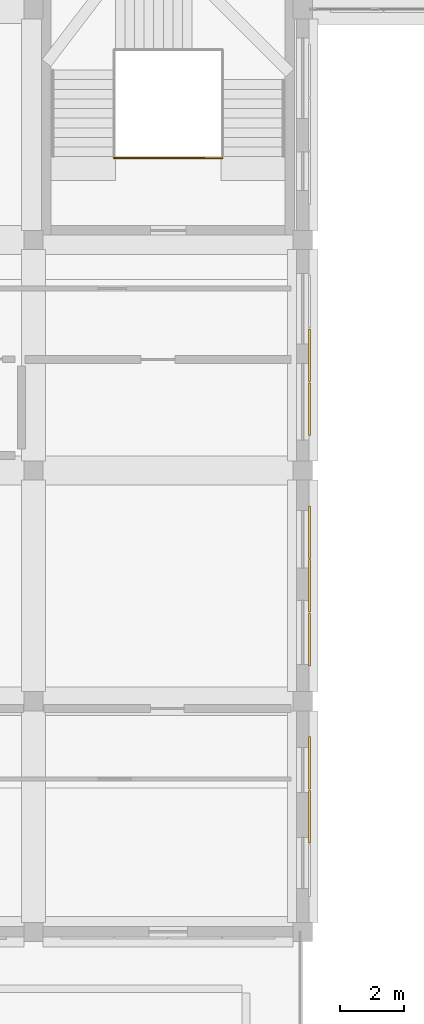
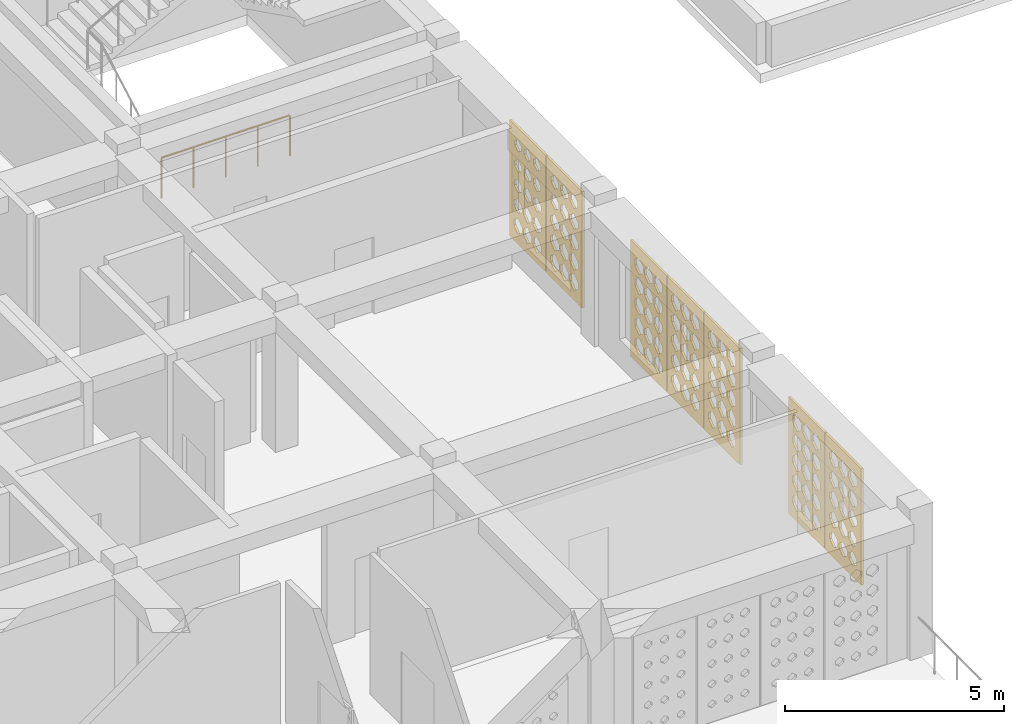
# One storey, part 39 of 48: 7 coverings, 1 railing.
"""IFC4 building model written with IfcOpenShell, lengths in metres."""

from ifc_helpers import new_model, si_unit, derived_unit, direction, frame, origin, origin_2d, place, context, subcontext, project, spatial, polyline, circle, outline, extrude, material, layer, layer_set, type_object, element, save


model = new_model("IFC4")

# Units and contexts
model_context = context("Model", 3, precision=1e-05, world=origin(), true_north=direction((0.0, 1.0)))
body_context = subcontext(model_context, "Body", "Model", "MODEL_VIEW")
ifc_project = project(units=[si_unit("LENGTHUNIT", "METRE"), si_unit("AREAUNIT", "SQUARE_METRE"), si_unit("VOLUMEUNIT", "CUBIC_METRE"), si_unit("PLANEANGLEUNIT", "RADIAN"), si_unit("MASSUNIT", "GRAM", prefix="KILO"), derived_unit("THERMALTRANSMITTANCEUNIT", [(si_unit("POWERUNIT", "WATT"), 1), (si_unit("LENGTHUNIT", "METRE"), -2), (si_unit("THERMODYNAMICTEMPERATUREUNIT", "KELVIN"), -1)])], contexts=[model_context])

# Site, building, storey
site_placement = place(None, origin())
site = spatial("IfcSite", under=ifc_project, at=site_placement, CompositionType="ELEMENT")
building_placement = place(site_placement, origin())
building = spatial("IfcBuilding", under=site, at=building_placement, Name="Veybourne Emporium", CompositionType="ELEMENT")
storey_placement = place(building_placement, frame((0.0, 0.0, 27.89990234375)))
storey = spatial("IfcBuildingStorey", under=building, at=storey_placement, Name="L06", CompositionType="ELEMENT", Elevation=27.89990234375)

# Railing
ifc_material_1 = material(Name="Brushed Stainless Steel", Category="steel")
railing_type = type_object("IfcRailingType", Name="Guard_GR-01", PredefinedType="GUARDRAIL", material=ifc_material_1)
railing_placement = place(storey_placement, frame((44.510009765625, 31.360107421875, 0.0)))
element("IfcRailing", 1, at=railing_placement, inside=storey, type_object=railing_type, Name="L06 ST-05 stair guard 4", PredefinedType="GUARDRAIL", context=body_context, shape_type="SweptSolid", body=[
    extrude(circle(Radius=0.02392578125, at=origin_2d()), frame((0.0, 0.0, 1.1259765625), z_axis=(1.0, 0.0, 0.0), x_axis=(0.0, 1.0, 0.0)), (0.0, 0.0, 1.0), 3.3798828125),
    extrude(circle(Radius=0.02099609375, at=origin_2d()), origin(), (0.0, 0.0, 1.0), 1.101806640625),
    extrude(circle(Radius=0.02099609375, at=origin_2d()), frame((0.844970703125, 0.0, 0.0)), (0.0, 0.0, 1.0), 1.101806640625),
    extrude(circle(Radius=0.02099609375, at=origin_2d()), frame((1.68994140625, 0.0, 0.0)), (0.0, 0.0, 1.0), 1.101806640625),
    extrude(circle(Radius=0.02099609375, at=origin_2d()), frame((2.534912109375, 0.0, 0.0)), (0.0, 0.0, 1.0), 1.101806640625),
    extrude(circle(Radius=0.02099609375, at=origin_2d()), frame((3.3798828125, 0.0, 0.0)), (0.0, 0.0, 1.0), 1.101806640625),
])

# Coverings
ifc_material_2 = material(Name="Warm-White Perforated Aluminium Screen Alloy", Category="aluminium")
ifc_layer_1 = layer(ifc_material_2, 0.06005859375)
ifc_layer_set_1 = layer_set([ifc_layer_1], Name="Warm-White Perforated Aluminium Screen Alloy")
covering_type_1 = type_object("IfcCoveringType", Name="WaveScreen_SCR-01", PredefinedType="CLADDING", material=ifc_layer_set_1)
covering_1_placement = place(storey_placement, frame((50.64794921875, 16.320068359375, 1.68017578125), z_axis=(-1.0, 0.0, 0.0), x_axis=(0.0, -1.0, 0.0)))
element("IfcCovering", 2, at=covering_1_placement, inside=storey, type_object=covering_type_1, Name="L06 wave-perforated aluminium screen SCR-01 (19.3)", PredefinedType="CLADDING", context=body_context, shape_type="SweptSolid", body=[
    extrude(outline(polyline([(-0.81982421875, -1.6201171875), (0.81982421875, -1.6201171875), (0.81982421875, 1.6201171875), (-0.81982421875, 1.6201171875), (-0.81982421875, -1.6201171875)]), holes=[polyline([(-0.433349609375, -0.879150390625), (-0.2470703125, -1.033203125), (-0.2470703125, -1.206787109375), (-0.433349609375, -1.36083984375), (-0.61962890625, -1.206787109375), (-0.61962890625, -1.033203125), (-0.433349609375, -0.879150390625)]), polyline([(-0.433349609375, -0.319091796875), (-0.2470703125, -0.473388671875), (-0.2470703125, -0.646728515625), (-0.433349609375, -0.80078125), (-0.61962890625, -0.646728515625), (-0.61962890625, -0.473388671875), (-0.433349609375, -0.319091796875)]), polyline([(-0.433349609375, 0.24072265625), (-0.2470703125, 0.086669921875), (-0.2470703125, -0.086669921875), (-0.433349609375, -0.24072265625), (-0.61962890625, -0.086669921875), (-0.61962890625, 0.086669921875), (-0.433349609375, 0.24072265625)]), polyline([(-0.433349609375, 0.80078125), (-0.2470703125, 0.646728515625), (-0.2470703125, 0.473388671875), (-0.433349609375, 0.319091796875), (-0.61962890625, 0.473388671875), (-0.61962890625, 0.646728515625), (-0.433349609375, 0.80078125)]), polyline([(-0.433349609375, 1.36083984375), (-0.2470703125, 1.206787109375), (-0.2470703125, 1.033203125), (-0.433349609375, 0.879150390625), (-0.61962890625, 1.033203125), (-0.61962890625, 1.206787109375), (-0.433349609375, 1.36083984375)]), polyline([(0.0, -0.879150390625), (0.186279296875, -1.033203125), (0.186279296875, -1.206787109375), (0.0, -1.36083984375), (-0.186279296875, -1.206787109375), (-0.186279296875, -1.033203125), (0.0, -0.879150390625)]), polyline([(0.0, -0.319091796875), (0.186279296875, -0.473388671875), (0.186279296875, -0.646728515625), (0.0, -0.80078125), (-0.186279296875, -0.646728515625), (-0.186279296875, -0.473388671875), (0.0, -0.319091796875)]), polyline([(0.0, 0.24072265625), (0.186279296875, 0.086669921875), (0.186279296875, -0.086669921875), (0.0, -0.24072265625), (-0.186279296875, -0.086669921875), (-0.186279296875, 0.086669921875), (0.0, 0.24072265625)]), polyline([(0.0, 0.80078125), (0.186279296875, 0.646728515625), (0.186279296875, 0.473388671875), (0.0, 0.319091796875), (-0.186279296875, 0.473388671875), (-0.186279296875, 0.646728515625), (0.0, 0.80078125)]), polyline([(0.0, 1.36083984375), (0.186279296875, 1.206787109375), (0.186279296875, 1.033203125), (0.0, 0.879150390625), (-0.186279296875, 1.033203125), (-0.186279296875, 1.206787109375), (0.0, 1.36083984375)]), polyline([(0.433349609375, -0.879150390625), (0.61962890625, -1.033203125), (0.61962890625, -1.206787109375), (0.433349609375, -1.36083984375), (0.2470703125, -1.206787109375), (0.2470703125, -1.033203125), (0.433349609375, -0.879150390625)]), polyline([(0.433349609375, -0.319091796875), (0.61962890625, -0.473388671875), (0.61962890625, -0.646728515625), (0.433349609375, -0.80078125), (0.2470703125, -0.646728515625), (0.2470703125, -0.473388671875), (0.433349609375, -0.319091796875)]), polyline([(0.433349609375, 0.24072265625), (0.61962890625, 0.086669921875), (0.61962890625, -0.086669921875), (0.433349609375, -0.24072265625), (0.2470703125, -0.086669921875), (0.2470703125, 0.086669921875), (0.433349609375, 0.24072265625)]), polyline([(0.433349609375, 0.80078125), (0.61962890625, 0.646728515625), (0.61962890625, 0.473388671875), (0.433349609375, 0.319091796875), (0.2470703125, 0.473388671875), (0.2470703125, 0.646728515625), (0.433349609375, 0.80078125)]), polyline([(0.433349609375, 1.36083984375), (0.61962890625, 1.206787109375), (0.61962890625, 1.033203125), (0.433349609375, 0.879150390625), (0.2470703125, 1.033203125), (0.2470703125, 1.206787109375), (0.433349609375, 1.36083984375)])]), origin(), (0.0, 0.0, 1.0), 0.06005859375),
])
covering_2_placement = place(storey_placement, frame((50.64794921875, 25.199951171875, 1.68017578125), z_axis=(-1.0, 0.0, 0.0), x_axis=(0.0, -1.0, 0.0)))
element("IfcCovering", 3, at=covering_2_placement, inside=storey, type_object=covering_type_1, Name="L06 wave-perforated aluminium screen SCR-01 (20.2)", PredefinedType="CLADDING", context=body_context, shape_type="SweptSolid", body=[
    extrude(outline(polyline([(-0.81982421875, -1.6201171875), (0.81982421875, -1.6201171875), (0.81982421875, 1.6201171875), (-0.81982421875, 1.6201171875), (-0.81982421875, -1.6201171875)]), holes=[polyline([(-0.433349609375, -0.9033203125), (-0.2470703125, -1.0419921875), (-0.2470703125, -1.197998046875), (-0.433349609375, -1.336669921875), (-0.61962890625, -1.197998046875), (-0.61962890625, -1.0419921875), (-0.433349609375, -0.9033203125)]), polyline([(-0.433349609375, -0.35595703125), (-0.25634765625, -0.486572265625), (-0.25634765625, -0.633544921875), (-0.433349609375, -0.763916015625), (-0.6103515625, -0.633544921875), (-0.6103515625, -0.486572265625), (-0.433349609375, -0.35595703125)]), polyline([(-0.433349609375, 0.191162109375), (-0.266845703125, 0.06884765625), (-0.266845703125, -0.06884765625), (-0.433349609375, -0.191162109375), (-0.599609375, -0.06884765625), (-0.599609375, 0.06884765625), (-0.433349609375, 0.191162109375)]), polyline([(-0.433349609375, 0.73828125), (-0.277587890625, 0.624267578125), (-0.277587890625, 0.495849609375), (-0.433349609375, 0.381591796875), (-0.589111328125, 0.495849609375), (-0.589111328125, 0.624267578125), (-0.433349609375, 0.73828125)]), polyline([(-0.433349609375, 1.285888671875), (-0.28759765625, 1.1796875), (-0.28759765625, 1.060302734375), (-0.433349609375, 0.9541015625), (-0.5791015625, 1.060302734375), (-0.5791015625, 1.1796875), (-0.433349609375, 1.285888671875)]), polyline([(0.0, -0.897216796875), (0.186279296875, -1.039794921875), (0.186279296875, -1.2001953125), (0.0, -1.3427734375), (-0.186279296875, -1.2001953125), (-0.186279296875, -1.039794921875), (0.0, -0.897216796875)]), polyline([(0.0, -0.349609375), (0.18212890625, -0.484375), (0.18212890625, -0.6357421875), (0.0, -0.7705078125), (-0.18212890625, -0.6357421875), (-0.18212890625, -0.484375), (0.0, -0.349609375)]), polyline([(0.0, 0.197509765625), (0.171630859375, 0.071044921875), (0.171630859375, -0.071044921875), (0.0, -0.197509765625), (-0.171630859375, -0.071044921875), (-0.171630859375, 0.071044921875), (0.0, 0.197509765625)]), polyline([(0.0, 0.74462890625), (0.1611328125, 0.62646484375), (0.1611328125, 0.493408203125), (0.0, 0.375244140625), (-0.1611328125, 0.493408203125), (-0.1611328125, 0.62646484375), (0.0, 0.74462890625)]), polyline([(0.0, 1.2919921875), (0.150634765625, 1.181884765625), (0.150634765625, 1.05810546875), (0.0, 0.947998046875), (-0.150634765625, 1.05810546875), (-0.150634765625, 1.181884765625), (0.0, 1.2919921875)]), polyline([(0.433349609375, -0.891357421875), (0.61962890625, -1.03759765625), (0.61962890625, -1.202392578125), (0.433349609375, -1.3486328125), (0.2470703125, -1.202392578125), (0.2470703125, -1.03759765625), (0.433349609375, -0.891357421875)]), polyline([(0.433349609375, -0.343505859375), (0.61962890625, -0.48193359375), (0.61962890625, -0.637939453125), (0.433349609375, -0.776611328125), (0.2470703125, -0.637939453125), (0.2470703125, -0.48193359375), (0.433349609375, -0.343505859375)]), polyline([(0.433349609375, 0.2041015625), (0.610107421875, 0.073486328125), (0.610107421875, -0.073486328125), (0.433349609375, -0.2041015625), (0.25634765625, -0.073486328125), (0.25634765625, 0.073486328125), (0.433349609375, 0.2041015625)]), polyline([(0.433349609375, 0.751220703125), (0.599609375, 0.62890625), (0.599609375, 0.4912109375), (0.433349609375, 0.368896484375), (0.26708984375, 0.4912109375), (0.26708984375, 0.62890625), (0.433349609375, 0.751220703125)]), polyline([(0.433349609375, 1.298095703125), (0.589111328125, 1.18408203125), (0.589111328125, 1.055908203125), (0.433349609375, 0.94189453125), (0.277587890625, 1.055908203125), (0.277587890625, 1.18408203125), (0.433349609375, 1.298095703125)])]), origin(), (0.0, 0.0, 1.0), 0.06005859375),
])
ifc_layer_2 = layer(ifc_material_2, 0.06005859375)
ifc_layer_set_2 = layer_set([ifc_layer_2], Name="Warm-White Perforated Aluminium Screen Alloy")
covering_type_2 = type_object("IfcCoveringType", Name="WaveScreen_SCR-02", PredefinedType="CLADDING", material=ifc_layer_set_2)
covering_3_placement = place(storey_placement, frame((50.64794921875, 12.47998046875, 1.68017578125), z_axis=(-1.0, 0.0, 0.0), x_axis=(0.0, -1.0, 0.0)))
element("IfcCovering", 4, at=covering_3_placement, inside=storey, type_object=covering_type_2, Name="L06 wave-perforated aluminium screen SCR-02 (18.1)", PredefinedType="CLADDING", context=body_context, shape_type="SweptSolid", body=[
    extrude(outline(polyline([(-0.81982421875, -1.6201171875), (0.81982421875, -1.6201171875), (0.81982421875, 1.6201171875), (-0.81982421875, 1.6201171875), (-0.81982421875, -1.6201171875)]), holes=[polyline([(-0.433349609375, -0.884033203125), (-0.2470703125, -1.03515625), (-0.2470703125, -1.204833984375), (-0.433349609375, -1.35595703125), (-0.61962890625, -1.204833984375), (-0.61962890625, -1.03515625), (-0.433349609375, -0.884033203125)]), polyline([(-0.433349609375, -0.319091796875), (-0.2470703125, -0.473388671875), (-0.2470703125, -0.646728515625), (-0.433349609375, -0.80078125), (-0.61962890625, -0.646728515625), (-0.61962890625, -0.473388671875), (-0.433349609375, -0.319091796875)]), polyline([(-0.433349609375, 0.24072265625), (-0.2470703125, 0.086669921875), (-0.2470703125, -0.086669921875), (-0.433349609375, -0.24072265625), (-0.61962890625, -0.086669921875), (-0.61962890625, 0.086669921875), (-0.433349609375, 0.24072265625)]), polyline([(-0.433349609375, 0.80078125), (-0.2470703125, 0.646728515625), (-0.2470703125, 0.473388671875), (-0.433349609375, 0.319091796875), (-0.61962890625, 0.473388671875), (-0.61962890625, 0.646728515625), (-0.433349609375, 0.80078125)]), polyline([(-0.433349609375, 1.36083984375), (-0.2470703125, 1.206787109375), (-0.2470703125, 1.033203125), (-0.433349609375, 0.879150390625), (-0.61962890625, 1.033203125), (-0.61962890625, 1.206787109375), (-0.433349609375, 1.36083984375)]), polyline([(0.0, -0.8896484375), (0.186279296875, -1.037109375), (0.186279296875, -1.202880859375), (0.0, -1.350341796875), (-0.186279296875, -1.202880859375), (-0.186279296875, -1.037109375), (0.0, -0.8896484375)]), polyline([(0.0, -0.319091796875), (0.186279296875, -0.473388671875), (0.186279296875, -0.646728515625), (0.0, -0.80078125), (-0.186279296875, -0.646728515625), (-0.186279296875, -0.473388671875), (0.0, -0.319091796875)]), polyline([(0.0, 0.24072265625), (0.186279296875, 0.086669921875), (0.186279296875, -0.086669921875), (0.0, -0.24072265625), (-0.186279296875, -0.086669921875), (-0.186279296875, 0.086669921875), (0.0, 0.24072265625)]), polyline([(0.0, 0.80078125), (0.186279296875, 0.646728515625), (0.186279296875, 0.473388671875), (0.0, 0.319091796875), (-0.186279296875, 0.473388671875), (-0.186279296875, 0.646728515625), (0.0, 0.80078125)]), polyline([(0.0, 1.36083984375), (0.186279296875, 1.206787109375), (0.186279296875, 1.033203125), (0.0, 0.879150390625), (-0.186279296875, 1.033203125), (-0.186279296875, 1.206787109375), (0.0, 1.36083984375)]), polyline([(0.433349609375, -0.8955078125), (0.61962890625, -1.039306640625), (0.61962890625, -1.20068359375), (0.433349609375, -1.344482421875), (0.2470703125, -1.20068359375), (0.2470703125, -1.039306640625), (0.433349609375, -0.8955078125)]), polyline([(0.433349609375, -0.323974609375), (0.61962890625, -0.47509765625), (0.61962890625, -0.64501953125), (0.433349609375, -0.7958984375), (0.2470703125, -0.64501953125), (0.2470703125, -0.47509765625), (0.433349609375, -0.323974609375)]), polyline([(0.433349609375, 0.24072265625), (0.61962890625, 0.086669921875), (0.61962890625, -0.086669921875), (0.433349609375, -0.24072265625), (0.2470703125, -0.086669921875), (0.2470703125, 0.086669921875), (0.433349609375, 0.24072265625)]), polyline([(0.433349609375, 0.80078125), (0.61962890625, 0.646728515625), (0.61962890625, 0.473388671875), (0.433349609375, 0.319091796875), (0.2470703125, 0.473388671875), (0.2470703125, 0.646728515625), (0.433349609375, 0.80078125)]), polyline([(0.433349609375, 1.36083984375), (0.61962890625, 1.206787109375), (0.61962890625, 1.033203125), (0.433349609375, 0.879150390625), (0.2470703125, 1.033203125), (0.2470703125, 1.206787109375), (0.433349609375, 1.36083984375)])]), origin(), (0.0, 0.0, 1.0), 0.06005859375),
])
covering_4_placement = place(storey_placement, frame((50.64794921875, 23.52001953125, 1.68017578125), z_axis=(-1.0, 0.0, 0.0), x_axis=(0.0, -1.0, 0.0)))
element("IfcCovering", 5, at=covering_4_placement, inside=storey, type_object=covering_type_2, Name="L06 wave-perforated aluminium screen SCR-02 (20.3)", PredefinedType="CLADDING", context=body_context, shape_type="SweptSolid", body=[
    extrude(outline(polyline([(-0.81982421875, -1.6201171875), (0.81982421875, -1.6201171875), (0.81982421875, 1.6201171875), (-0.81982421875, 1.6201171875), (-0.81982421875, -1.6201171875)]), holes=[polyline([(-0.433349609375, -0.881103515625), (-0.2470703125, -1.033935546875), (-0.2470703125, -1.2060546875), (-0.433349609375, -1.35888671875), (-0.61962890625, -1.2060546875), (-0.61962890625, -1.033935546875), (-0.433349609375, -0.881103515625)]), polyline([(-0.433349609375, -0.332275390625), (-0.2470703125, -0.47802734375), (-0.2470703125, -0.64208984375), (-0.433349609375, -0.787841796875), (-0.61962890625, -0.64208984375), (-0.61962890625, -0.47802734375), (-0.433349609375, -0.332275390625)]), polyline([(-0.433349609375, 0.2158203125), (-0.2470703125, 0.07763671875), (-0.2470703125, -0.07763671875), (-0.433349609375, -0.2158203125), (-0.61962890625, -0.07763671875), (-0.61962890625, 0.07763671875), (-0.433349609375, 0.2158203125)]), polyline([(-0.433349609375, 0.76318359375), (-0.257080078125, 0.633056640625), (-0.257080078125, 0.48681640625), (-0.433349609375, 0.35693359375), (-0.609619140625, 0.48681640625), (-0.609619140625, 0.633056640625), (-0.433349609375, 0.76318359375)]), polyline([(-0.433349609375, 1.310302734375), (-0.267578125, 1.1884765625), (-0.267578125, 1.051513671875), (-0.433349609375, 0.9296875), (-0.59912109375, 1.051513671875), (-0.59912109375, 1.1884765625), (-0.433349609375, 1.310302734375)]), polyline([(0.0, -0.879150390625), (0.186279296875, -1.033203125), (0.186279296875, -1.206787109375), (0.0, -1.36083984375), (-0.186279296875, -1.206787109375), (-0.186279296875, -1.033203125), (0.0, -0.879150390625)]), polyline([(0.0, -0.326416015625), (0.186279296875, -0.475830078125), (0.186279296875, -0.64404296875), (0.0, -0.79345703125), (-0.186279296875, -0.64404296875), (-0.186279296875, -0.475830078125), (0.0, -0.326416015625)]), polyline([(0.0, 0.221923828125), (0.186279296875, 0.079833984375), (0.186279296875, -0.079833984375), (0.0, -0.221923828125), (-0.186279296875, -0.079833984375), (-0.186279296875, 0.079833984375), (0.0, 0.221923828125)]), polyline([(0.0, 0.76953125), (0.181396484375, 0.635498046875), (0.181396484375, 0.484619140625), (0.0, 0.3505859375), (-0.181396484375, 0.484619140625), (-0.181396484375, 0.635498046875), (0.0, 0.76953125)]), polyline([(0.0, 1.316650390625), (0.1708984375, 1.19091796875), (0.1708984375, 1.04931640625), (0.0, 0.92333984375), (-0.1708984375, 1.04931640625), (-0.1708984375, 1.19091796875), (0.0, 1.316650390625)]), polyline([(0.433349609375, -0.879150390625), (0.61962890625, -1.033203125), (0.61962890625, -1.206787109375), (0.433349609375, -1.36083984375), (0.2470703125, -1.206787109375), (0.2470703125, -1.033203125), (0.433349609375, -0.879150390625)]), polyline([(0.433349609375, -0.321044921875), (0.61962890625, -0.47412109375), (0.61962890625, -0.64599609375), (0.433349609375, -0.799072265625), (0.2470703125, -0.64599609375), (0.2470703125, -0.47412109375), (0.433349609375, -0.321044921875)]), polyline([(0.433349609375, 0.227783203125), (0.61962890625, 0.08203125), (0.61962890625, -0.08203125), (0.433349609375, -0.227783203125), (0.2470703125, -0.08203125), (0.2470703125, 0.08203125), (0.433349609375, 0.227783203125)]), polyline([(0.433349609375, 0.775634765625), (0.61962890625, 0.6376953125), (0.61962890625, 0.482421875), (0.433349609375, 0.34423828125), (0.2470703125, 0.482421875), (0.2470703125, 0.6376953125), (0.433349609375, 0.775634765625)]), polyline([(0.433349609375, 1.322998046875), (0.609619140625, 1.193115234375), (0.609619140625, 1.046875), (0.433349609375, 0.9169921875), (0.257080078125, 1.046875), (0.257080078125, 1.193115234375), (0.433349609375, 1.322998046875)])]), origin(), (0.0, 0.0, 1.0), 0.06005859375),
])
ifc_layer_3 = layer(ifc_material_2, 0.06005859375)
ifc_layer_set_3 = layer_set([ifc_layer_3], Name="Warm-White Perforated Aluminium Screen Alloy")
covering_type_3 = type_object("IfcCoveringType", Name="WaveScreen_SCR-03", PredefinedType="CLADDING", material=ifc_layer_set_3)
covering_5_placement = place(storey_placement, frame((50.64794921875, 10.800048828125, 1.68017578125), z_axis=(-1.0, 0.0, 0.0), x_axis=(0.0, -1.0, 0.0)))
element("IfcCovering", 6, at=covering_5_placement, inside=storey, type_object=covering_type_3, Name="L06 wave-perforated aluminium screen SCR-03 (18.2)", PredefinedType="CLADDING", context=body_context, shape_type="SweptSolid", body=[
    extrude(outline(polyline([(-0.81982421875, -1.6201171875), (0.81982421875, -1.6201171875), (0.81982421875, 1.6201171875), (-0.81982421875, 1.6201171875), (-0.81982421875, -1.6201171875)]), holes=[polyline([(-0.433349609375, -0.906982421875), (-0.2490234375, -1.043212890625), (-0.2490234375, -1.19677734375), (-0.433349609375, -1.3330078125), (-0.61767578125, -1.19677734375), (-0.61767578125, -1.043212890625), (-0.433349609375, -0.906982421875)]), polyline([(-0.433349609375, -0.334716796875), (-0.2470703125, -0.47900390625), (-0.2470703125, -0.64111328125), (-0.433349609375, -0.785400390625), (-0.61962890625, -0.64111328125), (-0.61962890625, -0.47900390625), (-0.433349609375, -0.334716796875)]), polyline([(-0.433349609375, 0.23681640625), (-0.2470703125, 0.085205078125), (-0.2470703125, -0.085205078125), (-0.433349609375, -0.23681640625), (-0.61962890625, -0.085205078125), (-0.61962890625, 0.085205078125), (-0.433349609375, 0.23681640625)]), polyline([(-0.433349609375, 0.80078125), (-0.2470703125, 0.646728515625), (-0.2470703125, 0.473388671875), (-0.433349609375, 0.319091796875), (-0.61962890625, 0.473388671875), (-0.61962890625, 0.646728515625), (-0.433349609375, 0.80078125)]), polyline([(-0.433349609375, 1.36083984375), (-0.2470703125, 1.206787109375), (-0.2470703125, 1.033203125), (-0.433349609375, 0.879150390625), (-0.61962890625, 1.033203125), (-0.61962890625, 1.206787109375), (-0.433349609375, 1.36083984375)]), polyline([(0.0, -0.9130859375), (0.17919921875, -1.04541015625), (0.17919921875, -1.194580078125), (0.0, -1.326904296875), (-0.17919921875, -1.194580078125), (-0.17919921875, -1.04541015625), (0.0, -0.9130859375)]), polyline([(0.0, -0.3408203125), (0.186279296875, -0.48095703125), (0.186279296875, -0.638916015625), (0.0, -0.779296875), (-0.186279296875, -0.638916015625), (-0.186279296875, -0.48095703125), (0.0, -0.3408203125)]), polyline([(0.0, 0.231201171875), (0.186279296875, 0.083251953125), (0.186279296875, -0.083251953125), (0.0, -0.231201171875), (-0.186279296875, -0.083251953125), (-0.186279296875, 0.083251953125), (0.0, 0.231201171875)]), polyline([(0.0, 0.80078125), (0.186279296875, 0.646728515625), (0.186279296875, 0.473388671875), (0.0, 0.319091796875), (-0.186279296875, 0.473388671875), (-0.186279296875, 0.646728515625), (0.0, 0.80078125)]), polyline([(0.0, 1.36083984375), (0.186279296875, 1.206787109375), (0.186279296875, 1.033203125), (0.0, 0.879150390625), (-0.186279296875, 1.033203125), (-0.186279296875, 1.206787109375), (0.0, 1.36083984375)]), polyline([(0.433349609375, -0.919677734375), (0.607421875, -1.0478515625), (0.607421875, -1.192138671875), (0.433349609375, -1.3203125), (0.25927734375, -1.192138671875), (0.25927734375, -1.0478515625), (0.433349609375, -0.919677734375)]), polyline([(0.433349609375, -0.3466796875), (0.61767578125, -0.4833984375), (0.61767578125, -0.63671875), (0.433349609375, -0.773193359375), (0.248779296875, -0.63671875), (0.248779296875, -0.4833984375), (0.433349609375, -0.3466796875)]), polyline([(0.433349609375, 0.225341796875), (0.61962890625, 0.0810546875), (0.61962890625, -0.0810546875), (0.433349609375, -0.225341796875), (0.2470703125, -0.0810546875), (0.2470703125, 0.0810546875), (0.433349609375, 0.225341796875)]), polyline([(0.433349609375, 0.796875), (0.61962890625, 0.645263671875), (0.61962890625, 0.474853515625), (0.433349609375, 0.3232421875), (0.2470703125, 0.474853515625), (0.2470703125, 0.645263671875), (0.433349609375, 0.796875)]), polyline([(0.433349609375, 1.36083984375), (0.61962890625, 1.206787109375), (0.61962890625, 1.033203125), (0.433349609375, 0.879150390625), (0.2470703125, 1.033203125), (0.2470703125, 1.206787109375), (0.433349609375, 1.36083984375)])]), origin(), (0.0, 0.0, 1.0), 0.06005859375),
])
covering_6_placement = place(storey_placement, frame((50.64794921875, 19.679931640625, 1.68017578125), z_axis=(-1.0, 0.0, 0.0), x_axis=(0.0, -1.0, 0.0)))
element("IfcCovering", 7, at=covering_6_placement, inside=storey, type_object=covering_type_3, Name="L06 wave-perforated aluminium screen SCR-03 (19.1)", PredefinedType="CLADDING", context=body_context, shape_type="SweptSolid", body=[
    extrude(outline(polyline([(-0.81982421875, -1.6201171875), (0.81982421875, -1.6201171875), (0.81982421875, 1.6201171875), (-0.81982421875, 1.6201171875), (-0.81982421875, -1.6201171875)]), holes=[polyline([(-0.433349609375, -0.879150390625), (-0.2470703125, -1.033203125), (-0.2470703125, -1.206787109375), (-0.433349609375, -1.36083984375), (-0.61962890625, -1.206787109375), (-0.61962890625, -1.033203125), (-0.433349609375, -0.879150390625)]), polyline([(-0.433349609375, -0.319091796875), (-0.2470703125, -0.473388671875), (-0.2470703125, -0.646728515625), (-0.433349609375, -0.80078125), (-0.61962890625, -0.646728515625), (-0.61962890625, -0.473388671875), (-0.433349609375, -0.319091796875)]), polyline([(-0.433349609375, 0.24072265625), (-0.2470703125, 0.086669921875), (-0.2470703125, -0.086669921875), (-0.433349609375, -0.24072265625), (-0.61962890625, -0.086669921875), (-0.61962890625, 0.086669921875), (-0.433349609375, 0.24072265625)]), polyline([(-0.433349609375, 0.80078125), (-0.2470703125, 0.646728515625), (-0.2470703125, 0.473388671875), (-0.433349609375, 0.319091796875), (-0.61962890625, 0.473388671875), (-0.61962890625, 0.646728515625), (-0.433349609375, 0.80078125)]), polyline([(-0.433349609375, 1.36083984375), (-0.2470703125, 1.206787109375), (-0.2470703125, 1.033203125), (-0.433349609375, 0.879150390625), (-0.61962890625, 1.033203125), (-0.61962890625, 1.206787109375), (-0.433349609375, 1.36083984375)]), polyline([(0.0, -0.879150390625), (0.186279296875, -1.033203125), (0.186279296875, -1.206787109375), (0.0, -1.36083984375), (-0.186279296875, -1.206787109375), (-0.186279296875, -1.033203125), (0.0, -0.879150390625)]), polyline([(0.0, -0.319091796875), (0.186279296875, -0.473388671875), (0.186279296875, -0.646728515625), (0.0, -0.80078125), (-0.186279296875, -0.646728515625), (-0.186279296875, -0.473388671875), (0.0, -0.319091796875)]), polyline([(0.0, 0.24072265625), (0.186279296875, 0.086669921875), (0.186279296875, -0.086669921875), (0.0, -0.24072265625), (-0.186279296875, -0.086669921875), (-0.186279296875, 0.086669921875), (0.0, 0.24072265625)]), polyline([(0.0, 0.80078125), (0.186279296875, 0.646728515625), (0.186279296875, 0.473388671875), (0.0, 0.319091796875), (-0.186279296875, 0.473388671875), (-0.186279296875, 0.646728515625), (0.0, 0.80078125)]), polyline([(0.0, 1.36083984375), (0.186279296875, 1.206787109375), (0.186279296875, 1.033203125), (0.0, 0.879150390625), (-0.186279296875, 1.033203125), (-0.186279296875, 1.206787109375), (0.0, 1.36083984375)]), polyline([(0.433349609375, -0.879150390625), (0.61962890625, -1.033203125), (0.61962890625, -1.206787109375), (0.433349609375, -1.36083984375), (0.2470703125, -1.206787109375), (0.2470703125, -1.033203125), (0.433349609375, -0.879150390625)]), polyline([(0.433349609375, -0.319091796875), (0.61962890625, -0.473388671875), (0.61962890625, -0.646728515625), (0.433349609375, -0.80078125), (0.2470703125, -0.646728515625), (0.2470703125, -0.473388671875), (0.433349609375, -0.319091796875)]), polyline([(0.433349609375, 0.24072265625), (0.61962890625, 0.086669921875), (0.61962890625, -0.086669921875), (0.433349609375, -0.24072265625), (0.2470703125, -0.086669921875), (0.2470703125, 0.086669921875), (0.433349609375, 0.24072265625)]), polyline([(0.433349609375, 0.80078125), (0.61962890625, 0.646728515625), (0.61962890625, 0.473388671875), (0.433349609375, 0.319091796875), (0.2470703125, 0.473388671875), (0.2470703125, 0.646728515625), (0.433349609375, 0.80078125)]), polyline([(0.433349609375, 1.36083984375), (0.61962890625, 1.206787109375), (0.61962890625, 1.033203125), (0.433349609375, 0.879150390625), (0.2470703125, 1.033203125), (0.2470703125, 1.206787109375), (0.433349609375, 1.36083984375)])]), origin(), (0.0, 0.0, 1.0), 0.06005859375),
])
ifc_layer_4 = layer(ifc_material_2, 0.06005859375)
ifc_layer_set_4 = layer_set([ifc_layer_4], Name="Warm-White Perforated Aluminium Screen Alloy")
covering_type_4 = type_object("IfcCoveringType", Name="WaveScreen_SCR-04", PredefinedType="CLADDING", material=ifc_layer_set_4)
covering_7_placement = place(storey_placement, frame((50.64794921875, 18.0, 1.68017578125), z_axis=(-1.0, 0.0, 0.0), x_axis=(0.0, -1.0, 0.0)))
element("IfcCovering", 8, at=covering_7_placement, inside=storey, type_object=covering_type_4, Name="L06 wave-perforated aluminium screen SCR-04 (19.2)", PredefinedType="CLADDING", context=body_context, shape_type="SweptSolid", body=[
    extrude(outline(polyline([(-0.81982421875, -1.6201171875), (0.81982421875, -1.6201171875), (0.81982421875, 1.6201171875), (-0.81982421875, 1.6201171875), (-0.81982421875, -1.6201171875)]), holes=[polyline([(-0.433349609375, -0.879150390625), (-0.2470703125, -1.033203125), (-0.2470703125, -1.206787109375), (-0.433349609375, -1.36083984375), (-0.61962890625, -1.206787109375), (-0.61962890625, -1.033203125), (-0.433349609375, -0.879150390625)]), polyline([(-0.433349609375, -0.319091796875), (-0.2470703125, -0.473388671875), (-0.2470703125, -0.646728515625), (-0.433349609375, -0.80078125), (-0.61962890625, -0.646728515625), (-0.61962890625, -0.473388671875), (-0.433349609375, -0.319091796875)]), polyline([(-0.433349609375, 0.24072265625), (-0.2470703125, 0.086669921875), (-0.2470703125, -0.086669921875), (-0.433349609375, -0.24072265625), (-0.61962890625, -0.086669921875), (-0.61962890625, 0.086669921875), (-0.433349609375, 0.24072265625)]), polyline([(-0.433349609375, 0.80078125), (-0.2470703125, 0.646728515625), (-0.2470703125, 0.473388671875), (-0.433349609375, 0.319091796875), (-0.61962890625, 0.473388671875), (-0.61962890625, 0.646728515625), (-0.433349609375, 0.80078125)]), polyline([(-0.433349609375, 1.36083984375), (-0.2470703125, 1.206787109375), (-0.2470703125, 1.033203125), (-0.433349609375, 0.879150390625), (-0.61962890625, 1.033203125), (-0.61962890625, 1.206787109375), (-0.433349609375, 1.36083984375)]), polyline([(0.0, -0.879150390625), (0.186279296875, -1.033203125), (0.186279296875, -1.206787109375), (0.0, -1.36083984375), (-0.186279296875, -1.206787109375), (-0.186279296875, -1.033203125), (0.0, -0.879150390625)]), polyline([(0.0, -0.319091796875), (0.186279296875, -0.473388671875), (0.186279296875, -0.646728515625), (0.0, -0.80078125), (-0.186279296875, -0.646728515625), (-0.186279296875, -0.473388671875), (0.0, -0.319091796875)]), polyline([(0.0, 0.24072265625), (0.186279296875, 0.086669921875), (0.186279296875, -0.086669921875), (0.0, -0.24072265625), (-0.186279296875, -0.086669921875), (-0.186279296875, 0.086669921875), (0.0, 0.24072265625)]), polyline([(0.0, 0.80078125), (0.186279296875, 0.646728515625), (0.186279296875, 0.473388671875), (0.0, 0.319091796875), (-0.186279296875, 0.473388671875), (-0.186279296875, 0.646728515625), (0.0, 0.80078125)]), polyline([(0.0, 1.36083984375), (0.186279296875, 1.206787109375), (0.186279296875, 1.033203125), (0.0, 0.879150390625), (-0.186279296875, 1.033203125), (-0.186279296875, 1.206787109375), (0.0, 1.36083984375)]), polyline([(0.433349609375, -0.879150390625), (0.61962890625, -1.033203125), (0.61962890625, -1.206787109375), (0.433349609375, -1.36083984375), (0.2470703125, -1.206787109375), (0.2470703125, -1.033203125), (0.433349609375, -0.879150390625)]), polyline([(0.433349609375, -0.319091796875), (0.61962890625, -0.473388671875), (0.61962890625, -0.646728515625), (0.433349609375, -0.80078125), (0.2470703125, -0.646728515625), (0.2470703125, -0.473388671875), (0.433349609375, -0.319091796875)]), polyline([(0.433349609375, 0.24072265625), (0.61962890625, 0.086669921875), (0.61962890625, -0.086669921875), (0.433349609375, -0.24072265625), (0.2470703125, -0.086669921875), (0.2470703125, 0.086669921875), (0.433349609375, 0.24072265625)]), polyline([(0.433349609375, 0.80078125), (0.61962890625, 0.646728515625), (0.61962890625, 0.473388671875), (0.433349609375, 0.319091796875), (0.2470703125, 0.473388671875), (0.2470703125, 0.646728515625), (0.433349609375, 0.80078125)]), polyline([(0.433349609375, 1.36083984375), (0.61962890625, 1.206787109375), (0.61962890625, 1.033203125), (0.433349609375, 0.879150390625), (0.2470703125, 1.033203125), (0.2470703125, 1.206787109375), (0.433349609375, 1.36083984375)])]), origin(), (0.0, 0.0, 1.0), 0.06005859375),
])

save(model, "model.ifc")
